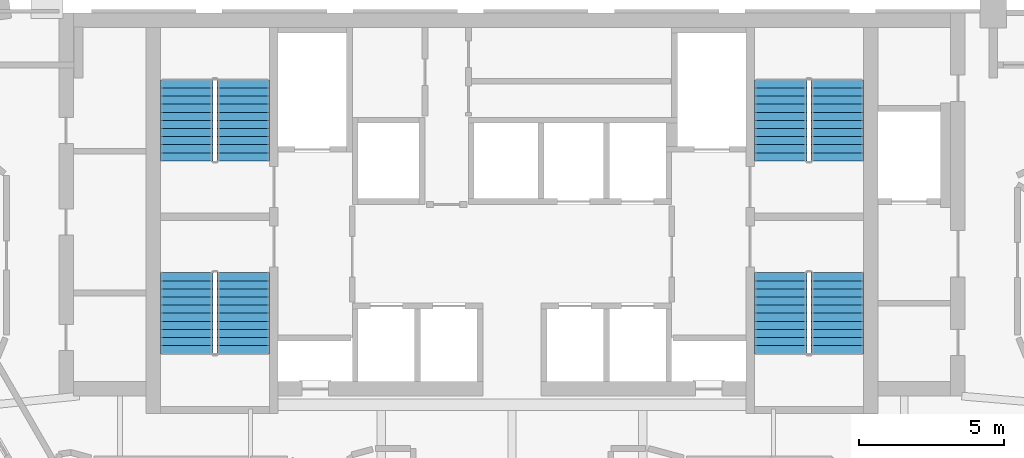
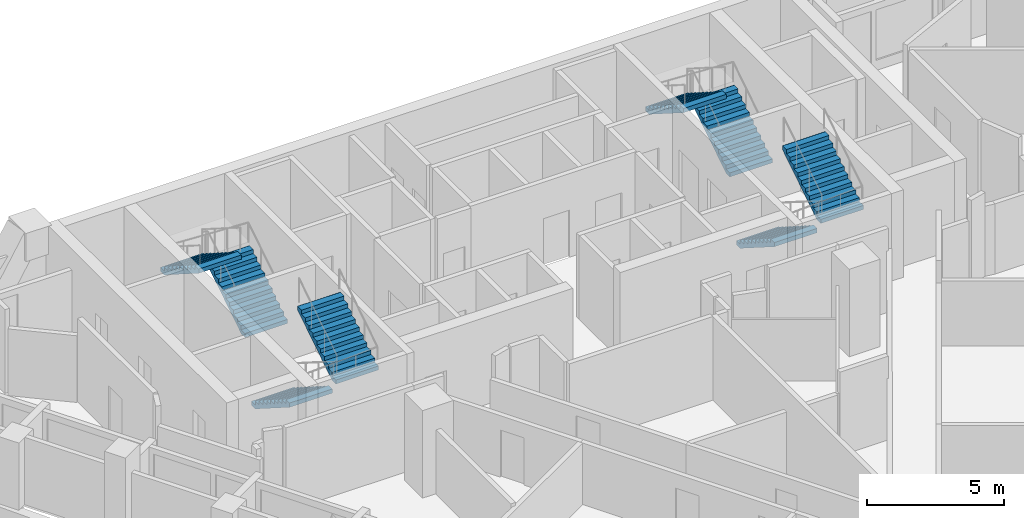
# One storey, part 9 of 10: 8 stair flights, 4 elements without a shape of their own.
"""IFC4 building model written with IfcOpenShell, lengths in metres."""

from ifc_helpers import new_model, si_unit, direction, frame, origin, place, context, subcontext, project, spatial, faceted_brep, source, transform, mapped, material, type_object, element, aggregate, save


model = new_model("IFC4")

# Units and contexts
model_context = context("Model", 3, precision=1e-05, world=origin(), true_north=direction((0.0, 1.0)))
body_context = subcontext(model_context, "Body", "Model", "MODEL_VIEW")
ifc_project = project(units=[si_unit("LENGTHUNIT", "METRE"), si_unit("AREAUNIT", "SQUARE_METRE"), si_unit("VOLUMEUNIT", "CUBIC_METRE"), si_unit("PLANEANGLEUNIT", "RADIAN"), si_unit("MASSUNIT", "GRAM", prefix="KILO")], contexts=[model_context])

# Site, building, storey
site_placement = place(None, origin())
site = spatial("IfcSite", under=ifc_project, at=site_placement, CompositionType="ELEMENT")
building_placement = place(site_placement, origin())
building = spatial("IfcBuilding", under=site, at=building_placement, Name="Calabash Gate Tower", CompositionType="ELEMENT")
storey_placement = place(building_placement, frame((0.0, 0.0, 187.5)))
storey = spatial("IfcBuildingStorey", under=building, at=storey_placement, Name="L44", CompositionType="ELEMENT", Elevation=187.5)

# Stair, stair flights
ifc_material_1 = material(Name="Concrete C40/50", Category="concrete")
stair_type = type_object("IfcStairType", Name="Exit stair 22 risers of 177.3 mm", PredefinedType="HALF_TURN_STAIR", material=ifc_material_1)
stair_1_placement = place(storey_placement, origin())
stair_1 = element("IfcStair", 1, at=stair_1_placement, inside=storey, type_object=stair_type, Name="L44 Exit stair ST1", PredefinedType="HALF_TURN_STAIR")
ifc_material_2 = material(Name="Concrete C40/50", Category="concrete")
stair_flight_type = type_object("IfcStairFlightType", Name="Exit stair flight SFL", PredefinedType="STRAIGHT", material=ifc_material_2)
shared_shape = source(origin(), body_context, "Body", "Brep", [
    faceted_brep([(-0.0009765625, -0.89990234375, 0.0), (0.279541015625, -0.89990234375, 0.0), (2.791015625, -0.89990234375, 1.59521484375), (-0.0009765625, 0.89990234375, 0.0), (2.791015625, 0.89990234375, 1.59521484375), (0.279541015625, 0.89990234375, 0.0), (2.791015625, -0.89990234375, 1.78466796875), (2.7900390625, -0.89990234375, 1.78466796875), (2.7900390625, 0.89990234375, 1.78466796875), (2.791015625, 0.89990234375, 1.78466796875), (2.7900390625, -0.89990234375, 1.772705078125), (2.7900390625, 0.89990234375, 1.772705078125), (2.510986328125, -0.89990234375, 1.772705078125), (2.510986328125, 0.89990234375, 1.772705078125), (2.510986328125, -0.89990234375, 1.595458984375), (2.510986328125, 0.89990234375, 1.595458984375), (2.23193359375, -0.89990234375, 1.595458984375), (2.23193359375, 0.89990234375, 1.595458984375), (2.23193359375, -0.89990234375, 1.418212890625), (2.23193359375, 0.89990234375, 1.418212890625), (1.952880859375, -0.89990234375, 1.418212890625), (1.952880859375, -0.89990234375, 1.240966796875), (1.952880859375, 0.89990234375, 1.240966796875), (1.952880859375, 0.89990234375, 1.418212890625), (1.674072265625, -0.89990234375, 1.240966796875), (1.674072265625, -0.89990234375, 1.063720703125), (1.674072265625, 0.89990234375, 1.063720703125), (1.674072265625, 0.89990234375, 1.240966796875), (1.39501953125, -0.89990234375, 1.063720703125), (1.39501953125, -0.89990234375, 0.886474609375), (1.39501953125, 0.89990234375, 0.886474609375), (1.39501953125, 0.89990234375, 1.063720703125), (1.115966796875, -0.89990234375, 0.886474609375), (1.115966796875, -0.89990234375, 0.708984375), (1.115966796875, 0.89990234375, 0.708984375), (1.115966796875, 0.89990234375, 0.886474609375), (0.8369140625, -0.89990234375, 0.708984375), (0.8369140625, -0.89990234375, 0.53173828125), (0.8369140625, 0.89990234375, 0.53173828125), (0.8369140625, 0.89990234375, 0.708984375), (0.55810546875, -0.89990234375, 0.53173828125), (0.55810546875, -0.89990234375, 0.3544921875), (0.55810546875, 0.89990234375, 0.3544921875), (0.55810546875, 0.89990234375, 0.53173828125), (0.279052734375, -0.89990234375, 0.3544921875), (0.279052734375, -0.89990234375, 0.17724609375), (0.279052734375, 0.89990234375, 0.17724609375), (0.279052734375, 0.89990234375, 0.3544921875), (-0.0009765625, -0.89990234375, 0.17724609375), (-0.0009765625, 0.89990234375, 0.17724609375), (0.279541015625, -0.360107421875, 0.0), (2.791015625, -0.360107421875, 1.59521484375), (0.279541015625, 0.0, 0.0), (2.791015625, 0.0, 1.59521484375), (0.279541015625, 0.360107421875, 0.0), (2.791015625, 0.360107421875, 1.59521484375), (2.791015625, -0.360107421875, 1.78466796875), (2.791015625, 0.0, 1.78466796875), (2.791015625, 0.360107421875, 1.78466796875), (2.7900390625, -0.360107421875, 1.78466796875), (2.7900390625, 0.0, 1.78466796875), (2.7900390625, 0.360107421875, 1.78466796875), (2.7900390625, -0.360107421875, 1.772705078125), (2.7900390625, 0.0, 1.772705078125), (2.7900390625, 0.360107421875, 1.772705078125), (2.510986328125, -0.360107421875, 1.772705078125), (2.510986328125, 0.0, 1.772705078125), (2.510986328125, 0.360107421875, 1.772705078125), (2.510986328125, -0.360107421875, 1.595458984375), (2.510986328125, 0.0, 1.595458984375), (2.510986328125, 0.360107421875, 1.595458984375), (2.23193359375, -0.360107421875, 1.595458984375), (2.23193359375, 0.0, 1.595458984375), (2.23193359375, 0.360107421875, 1.595458984375), (2.23193359375, -0.360107421875, 1.418212890625), (2.23193359375, 0.0, 1.418212890625), (2.23193359375, 0.360107421875, 1.418212890625), (1.952880859375, -0.360107421875, 1.418212890625), (1.952880859375, 0.0, 1.418212890625), (1.952880859375, 0.360107421875, 1.418212890625), (1.952880859375, -0.360107421875, 1.240966796875), (1.952880859375, 0.0, 1.240966796875), (1.952880859375, 0.360107421875, 1.240966796875), (1.674072265625, -0.360107421875, 1.240966796875), (1.674072265625, 0.0, 1.240966796875), (1.674072265625, 0.360107421875, 1.240966796875), (1.674072265625, -0.360107421875, 1.063720703125), (1.674072265625, 0.0, 1.063720703125), (1.674072265625, 0.360107421875, 1.063720703125), (1.39501953125, -0.360107421875, 1.063720703125), (1.39501953125, 0.0, 1.063720703125), (1.39501953125, 0.360107421875, 1.063720703125), (1.39501953125, -0.360107421875, 0.886474609375), (1.39501953125, 0.0, 0.886474609375), (1.39501953125, 0.360107421875, 0.886474609375), (1.115966796875, -0.360107421875, 0.886474609375), (1.115966796875, 0.0, 0.886474609375), (1.115966796875, 0.360107421875, 0.886474609375), (1.115966796875, -0.360107421875, 0.708984375), (1.115966796875, 0.0, 0.708984375), (1.115966796875, 0.360107421875, 0.708984375), (0.8369140625, -0.360107421875, 0.708984375), (0.8369140625, 0.0, 0.708984375), (0.8369140625, 0.360107421875, 0.708984375), (0.8369140625, -0.360107421875, 0.53173828125), (0.8369140625, 0.0, 0.53173828125), (0.8369140625, 0.360107421875, 0.53173828125), (0.55810546875, -0.360107421875, 0.53173828125), (0.55810546875, 0.0, 0.53173828125), (0.55810546875, 0.360107421875, 0.53173828125), (0.55810546875, -0.360107421875, 0.3544921875), (0.55810546875, 0.0, 0.3544921875), (0.55810546875, 0.360107421875, 0.3544921875), (0.279052734375, -0.360107421875, 0.3544921875), (0.279052734375, 0.0, 0.3544921875), (0.279052734375, 0.360107421875, 0.3544921875), (0.279052734375, -0.360107421875, 0.17724609375), (0.279052734375, 0.0, 0.17724609375), (0.279052734375, 0.360107421875, 0.17724609375), (-0.0009765625, -0.360107421875, 0.17724609375), (-0.0009765625, 0.0, 0.17724609375), (-0.0009765625, 0.360107421875, 0.17724609375), (-0.0009765625, -0.360107421875, 0.0), (-0.0009765625, 0.0, 0.0), (-0.0009765625, 0.360107421875, 0.0)], [[[0, 1, 2]], [[3, 4, 5]], [[2, 6, 7]], [[4, 8, 9]], [[2, 7, 10]], [[4, 11, 8]], [[2, 10, 12]], [[4, 13, 11]], [[2, 12, 14]], [[4, 15, 13]], [[2, 14, 16]], [[4, 17, 15]], [[2, 16, 18]], [[4, 19, 17]], [[18, 20, 21]], [[19, 22, 23]], [[2, 18, 21]], [[4, 22, 19]], [[21, 24, 25]], [[22, 26, 27]], [[2, 21, 25]], [[4, 26, 22]], [[25, 28, 29]], [[26, 30, 31]], [[2, 25, 29]], [[4, 30, 26]], [[29, 32, 33]], [[30, 34, 35]], [[2, 29, 33]], [[4, 34, 30]], [[33, 36, 37]], [[34, 38, 39]], [[2, 33, 37]], [[4, 38, 34]], [[37, 40, 41]], [[38, 42, 43]], [[2, 37, 41]], [[4, 42, 38]], [[41, 44, 45]], [[42, 46, 47]], [[2, 41, 45]], [[4, 46, 42]], [[0, 2, 45]], [[3, 46, 4]], [[45, 48, 0]], [[46, 3, 49]], [[1, 50, 2]], [[50, 51, 2]], [[50, 52, 51]], [[52, 53, 51]], [[52, 54, 55]], [[52, 55, 53]], [[54, 5, 4]], [[54, 4, 55]], [[2, 51, 6]], [[51, 56, 6]], [[51, 53, 56]], [[53, 57, 56]], [[53, 55, 58]], [[53, 58, 57]], [[55, 4, 9]], [[55, 9, 58]], [[6, 56, 7]], [[56, 59, 7]], [[56, 57, 59]], [[57, 60, 59]], [[57, 58, 61]], [[57, 61, 60]], [[58, 9, 8]], [[58, 8, 61]], [[7, 59, 10]], [[59, 62, 10]], [[59, 60, 62]], [[60, 63, 62]], [[60, 61, 64]], [[60, 64, 63]], [[61, 8, 11]], [[61, 11, 64]], [[10, 62, 12]], [[62, 65, 12]], [[62, 63, 65]], [[63, 66, 65]], [[63, 64, 67]], [[63, 67, 66]], [[64, 11, 13]], [[64, 13, 67]], [[12, 65, 14]], [[65, 68, 14]], [[65, 66, 68]], [[66, 69, 68]], [[66, 67, 70]], [[66, 70, 69]], [[67, 13, 15]], [[67, 15, 70]], [[14, 68, 16]], [[68, 71, 16]], [[68, 69, 71]], [[69, 72, 71]], [[69, 70, 73]], [[69, 73, 72]], [[70, 15, 17]], [[70, 17, 73]], [[16, 71, 18]], [[71, 74, 18]], [[71, 72, 74]], [[72, 75, 74]], [[72, 73, 76]], [[72, 76, 75]], [[73, 17, 19]], [[73, 19, 76]], [[18, 74, 20]], [[74, 77, 20]], [[74, 75, 77]], [[75, 78, 77]], [[75, 76, 79]], [[75, 79, 78]], [[76, 19, 23]], [[76, 23, 79]], [[20, 77, 21]], [[77, 80, 21]], [[77, 78, 80]], [[78, 81, 80]], [[78, 79, 82]], [[78, 82, 81]], [[79, 23, 22]], [[79, 22, 82]], [[21, 80, 24]], [[80, 83, 24]], [[80, 81, 83]], [[81, 84, 83]], [[81, 82, 85]], [[81, 85, 84]], [[82, 22, 27]], [[82, 27, 85]], [[24, 83, 25]], [[83, 86, 25]], [[83, 84, 86]], [[84, 87, 86]], [[84, 85, 88]], [[84, 88, 87]], [[85, 27, 26]], [[85, 26, 88]], [[25, 86, 28]], [[86, 89, 28]], [[86, 87, 89]], [[87, 90, 89]], [[87, 88, 91]], [[87, 91, 90]], [[88, 26, 31]], [[88, 31, 91]], [[28, 89, 29]], [[89, 92, 29]], [[89, 90, 92]], [[90, 93, 92]], [[90, 91, 94]], [[90, 94, 93]], [[91, 31, 30]], [[91, 30, 94]], [[29, 92, 32]], [[92, 95, 32]], [[92, 93, 95]], [[93, 96, 95]], [[93, 94, 97]], [[93, 97, 96]], [[94, 30, 35]], [[94, 35, 97]], [[32, 95, 33]], [[95, 98, 33]], [[95, 96, 98]], [[96, 99, 98]], [[96, 97, 100]], [[96, 100, 99]], [[97, 35, 34]], [[97, 34, 100]], [[33, 98, 36]], [[98, 101, 36]], [[98, 99, 101]], [[99, 102, 101]], [[99, 100, 103]], [[99, 103, 102]], [[100, 34, 39]], [[100, 39, 103]], [[36, 101, 37]], [[101, 104, 37]], [[101, 102, 104]], [[102, 105, 104]], [[102, 103, 106]], [[102, 106, 105]], [[103, 39, 38]], [[103, 38, 106]], [[37, 104, 40]], [[104, 107, 40]], [[104, 105, 107]], [[105, 108, 107]], [[105, 106, 109]], [[105, 109, 108]], [[106, 38, 43]], [[106, 43, 109]], [[40, 107, 41]], [[107, 110, 41]], [[107, 108, 110]], [[108, 111, 110]], [[108, 109, 112]], [[108, 112, 111]], [[109, 43, 42]], [[109, 42, 112]], [[41, 110, 44]], [[110, 113, 44]], [[110, 111, 113]], [[111, 114, 113]], [[111, 112, 115]], [[111, 115, 114]], [[112, 42, 47]], [[112, 47, 115]], [[44, 113, 45]], [[113, 116, 45]], [[113, 114, 116]], [[114, 117, 116]], [[114, 115, 118]], [[114, 118, 117]], [[115, 47, 46]], [[115, 46, 118]], [[45, 116, 48]], [[116, 119, 48]], [[116, 117, 119]], [[117, 120, 119]], [[117, 118, 121]], [[117, 121, 120]], [[118, 46, 49]], [[118, 49, 121]], [[48, 119, 0]], [[119, 122, 0]], [[119, 120, 122]], [[120, 123, 122]], [[120, 121, 124]], [[120, 124, 123]], [[121, 49, 3]], [[121, 3, 124]], [[0, 122, 1]], [[122, 50, 1]], [[122, 123, 50]], [[123, 52, 50]], [[123, 124, 54]], [[123, 54, 52]], [[124, 3, 5]], [[124, 5, 54]]]),
])
stair_flight_1_placement = place(storey_placement, frame((-9.25, 13.95263671875, 0.0), z_axis=(0.0, 0.0, 1.0), x_axis=(0.0, 1.0, 0.0)))
stair_flight_1 = element("IfcStairFlight", 2, at=stair_flight_1_placement, type_object=stair_flight_type, Name="ST1 flight 1", NumberOfRisers=11, NumberOfTreads=10, PredefinedType="STRAIGHT", RiserHeight=0.177272727, TreadLength=0.279, context=body_context, shape_type="MappedRepresentation", body=[
    mapped(shared_shape, transform((0.0, 0.0, 0.0), scale=1.0)),
])
stair_flight_2_placement = place(storey_placement, frame((-11.199951171875, 16.74267578125, 1.949951171875), z_axis=(0.0, 0.0, 1.0), x_axis=(0.0, -1.0, 0.0)))
stair_flight_2 = element("IfcStairFlight", 3, at=stair_flight_2_placement, type_object=stair_flight_type, Name="ST1 flight 2", NumberOfRisers=11, NumberOfTreads=10, PredefinedType="STRAIGHT", RiserHeight=0.177272727, TreadLength=0.279, context=body_context, shape_type="MappedRepresentation", body=[
    mapped(shared_shape, transform((0.0, 0.0, 0.0), scale=1.0)),
])
aggregate(stair_1, [stair_flight_1, stair_flight_2])

stair_2_placement = place(storey_placement, origin())
stair_2 = element("IfcStair", 4, at=stair_2_placement, inside=storey, type_object=stair_type, Name="L44 Exit stair ST2", PredefinedType="HALF_TURN_STAIR")
stair_flight_3_placement = place(storey_placement, frame((-11.199951171875, 10.1025390625, 0.0), z_axis=(0.0, 0.0, 1.0), x_axis=(0.0, -1.0, 0.0)))
stair_flight_3 = element("IfcStairFlight", 5, at=stair_flight_3_placement, type_object=stair_flight_type, Name="ST2 flight 1", NumberOfRisers=11, NumberOfTreads=10, PredefinedType="STRAIGHT", RiserHeight=0.177272727, TreadLength=0.279, context=body_context, shape_type="MappedRepresentation", body=[
    mapped(shared_shape, transform((0.0, 0.0, 0.0), scale=1.0)),
])
stair_flight_4_placement = place(storey_placement, frame((-9.25, 7.3125, 1.949951171875), z_axis=(0.0, 0.0, 1.0), x_axis=(0.0, 1.0, 0.0)))
stair_flight_4 = element("IfcStairFlight", 6, at=stair_flight_4_placement, type_object=stair_flight_type, Name="ST2 flight 2", NumberOfRisers=11, NumberOfTreads=10, PredefinedType="STRAIGHT", RiserHeight=0.177272727, TreadLength=0.279, context=body_context, shape_type="MappedRepresentation", body=[
    mapped(shared_shape, transform((0.0, 0.0, 0.0), scale=1.0)),
])
aggregate(stair_2, [stair_flight_3, stair_flight_4])

stair_3_placement = place(storey_placement, origin())
stair_3 = element("IfcStair", 7, at=stair_3_placement, inside=storey, type_object=stair_type, Name="L44 Exit stair ST3", PredefinedType="HALF_TURN_STAIR")
stair_flight_5_placement = place(storey_placement, frame((11.199951171875, 13.95263671875, 0.0), z_axis=(0.0, 0.0, 1.0), x_axis=(0.0, 1.0, 0.0)))
stair_flight_5 = element("IfcStairFlight", 8, at=stair_flight_5_placement, type_object=stair_flight_type, Name="ST3 flight 1", NumberOfRisers=11, NumberOfTreads=10, PredefinedType="STRAIGHT", RiserHeight=0.177272727, TreadLength=0.279, context=body_context, shape_type="MappedRepresentation", body=[
    mapped(shared_shape, transform((0.0, 0.0, 0.0), scale=1.0)),
])
stair_flight_6_placement = place(storey_placement, frame((9.25, 16.74267578125, 1.949951171875), z_axis=(0.0, 0.0, 1.0), x_axis=(0.0, -1.0, 0.0)))
stair_flight_6 = element("IfcStairFlight", 9, at=stair_flight_6_placement, type_object=stair_flight_type, Name="ST3 flight 2", NumberOfRisers=11, NumberOfTreads=10, PredefinedType="STRAIGHT", RiserHeight=0.177272727, TreadLength=0.279, context=body_context, shape_type="MappedRepresentation", body=[
    mapped(shared_shape, transform((0.0, 0.0, 0.0), scale=1.0)),
])
aggregate(stair_3, [stair_flight_5, stair_flight_6])

stair_4_placement = place(storey_placement, origin())
stair_4 = element("IfcStair", 10, at=stair_4_placement, inside=storey, type_object=stair_type, Name="L44 Exit stair ST4", PredefinedType="HALF_TURN_STAIR")
stair_flight_7_placement = place(storey_placement, frame((9.25, 10.1025390625, 0.0), z_axis=(0.0, 0.0, 1.0), x_axis=(0.0, -1.0, 0.0)))
stair_flight_7 = element("IfcStairFlight", 11, at=stair_flight_7_placement, type_object=stair_flight_type, Name="ST4 flight 1", NumberOfRisers=11, NumberOfTreads=10, PredefinedType="STRAIGHT", RiserHeight=0.177272727, TreadLength=0.279, context=body_context, shape_type="MappedRepresentation", body=[
    mapped(shared_shape, transform((0.0, 0.0, 0.0), scale=1.0)),
])
stair_flight_8_placement = place(storey_placement, frame((11.199951171875, 7.3125, 1.949951171875), z_axis=(0.0, 0.0, 1.0), x_axis=(0.0, 1.0, 0.0)))
stair_flight_8 = element("IfcStairFlight", 12, at=stair_flight_8_placement, type_object=stair_flight_type, Name="ST4 flight 2", NumberOfRisers=11, NumberOfTreads=10, PredefinedType="STRAIGHT", RiserHeight=0.177272727, TreadLength=0.279, context=body_context, shape_type="MappedRepresentation", body=[
    mapped(shared_shape, transform((0.0, 0.0, 0.0), scale=1.0)),
])
aggregate(stair_4, [stair_flight_7, stair_flight_8])

save(model, "model.ifc")
